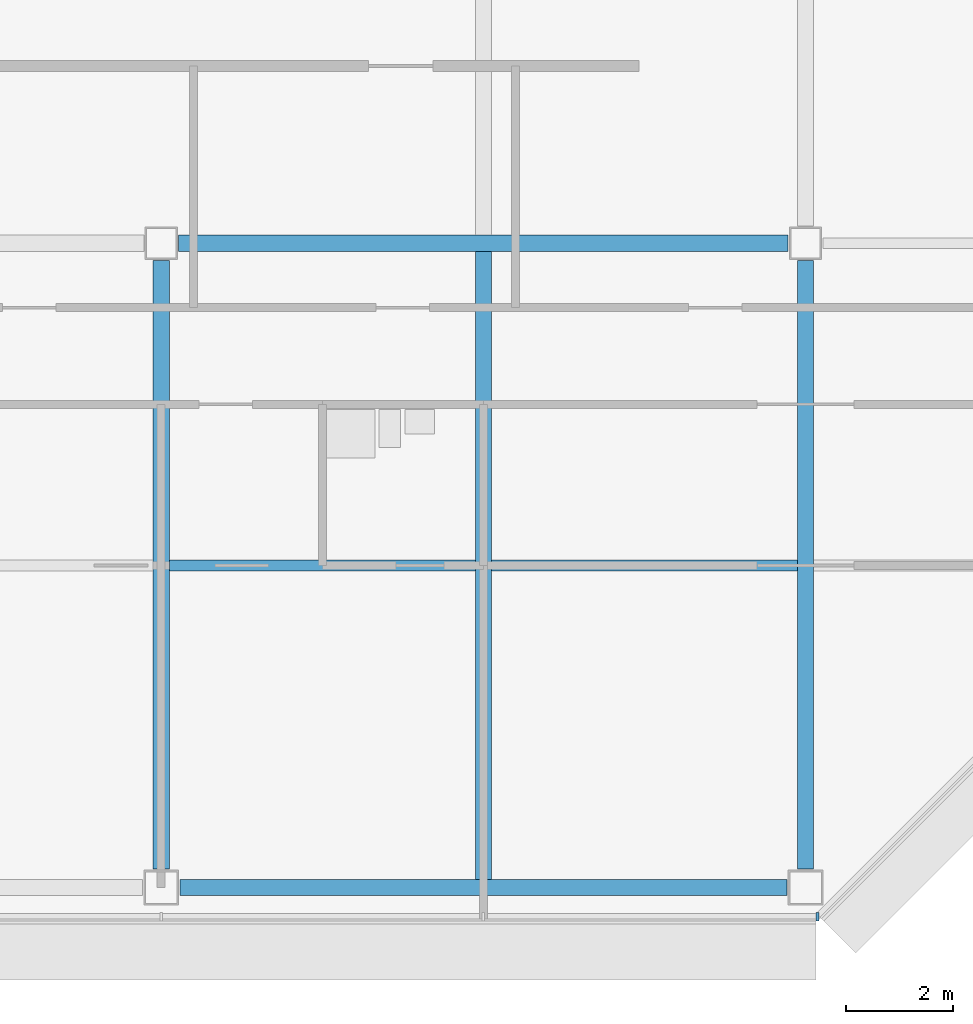
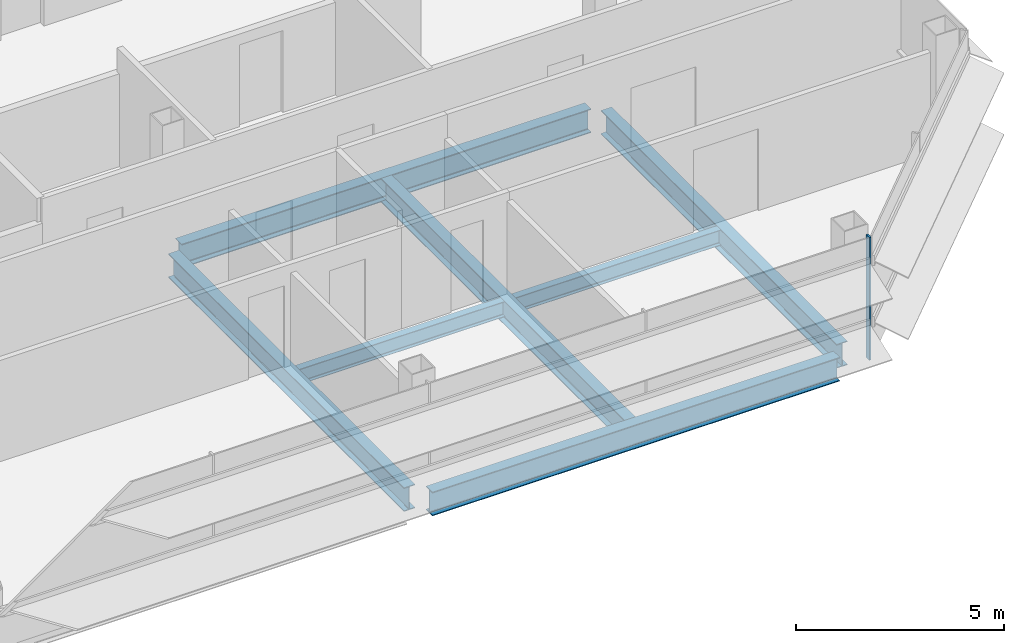
# One storey, part 9 of 29: 7 beams, 1 member, 1 element without a shape of its own.
"""IFC4 building model written with IfcOpenShell, lengths in metres."""

from ifc_helpers import new_model, si_unit, direction, frame, origin, origin_2d, place, context, subcontext, project, spatial, rectangle, i_section, extrude, material, material_profile, profile_set, type_object, element, aggregate, save


model = new_model("IFC4")

# Units and contexts
model_context = context("Model", 3, precision=1e-05, world=origin(), true_north=direction((0.0, 1.0)))
body_context = subcontext(model_context, "Body", "Model", "MODEL_VIEW")
ifc_project = project(units=[si_unit("LENGTHUNIT", "METRE"), si_unit("AREAUNIT", "SQUARE_METRE"), si_unit("VOLUMEUNIT", "CUBIC_METRE"), si_unit("PLANEANGLEUNIT", "RADIAN"), si_unit("MASSUNIT", "GRAM", prefix="KILO")], contexts=[model_context])

# Site, building, storey
site_placement = place(None, origin())
site = spatial("IfcSite", under=ifc_project, at=site_placement, CompositionType="ELEMENT")
building_placement = place(site_placement, origin())
building = spatial("IfcBuilding", under=site, at=building_placement, Name="Sorahane Residences", CompositionType="ELEMENT")
storey_placement = place(building_placement, frame((0.0, 0.0, 199.199951171875)))
storey = spatial("IfcBuildingStorey", under=building, at=storey_placement, Name="L46", CompositionType="ELEMENT", Elevation=199.199951171875)

# Curtain wall, member
ifc_material_1 = material(Name="Dark low-e glass and black anodised aluminium", Category="aluminium")
curtain_wall_type = type_object("IfcCurtainWallType", Name="Curtain wall CW-1 Typical unitised wall", PredefinedType="NOTDEFINED", material=ifc_material_1)
curtain_wall_placement = place(storey_placement, origin())
curtain_wall = element("IfcCurtainWall", 1, at=curtain_wall_placement, inside=storey, type_object=curtain_wall_type, Name="CW-1 curtain wall L46 S1", PredefinedType="NOTDEFINED")
ifc_material_2 = material(Name="Black anodised aluminium", Category="aluminium")
ifc_material_profile_1 = material_profile(ifc_material_2, rectangle(XDim=0.159912109375, YDim=0.050048828125, at=origin_2d()), Name="Curtain wall mullion CW-1 black anodised aluminium 50x160")
ifc_profile_set_1 = profile_set([ifc_material_profile_1], Name="Black anodised aluminium")
member_type = type_object("IfcMemberType", Name="Curtain wall mullion CW-1 black anodised aluminium 50x160", PredefinedType="MULLION", material=ifc_profile_set_1)
member_placement = place(storey_placement, frame((48.2236328125, -0.5400390625, -0.179931640625), z_axis=(0.0, 0.0, 1.0), x_axis=(0.0, -1.0, 0.0)))
member = element("IfcMember", 2, at=member_placement, type_object=member_type, Name="CW-1 mullion L46 S1.10", PredefinedType="MULLION", context=body_context, shape_type="SweptSolid", body=[
    extrude(rectangle(XDim=0.159912109375, YDim=0.050048828125, at=origin_2d()), origin(), (0.0, 0.0, 1.0), 3.60009765625),
])
aggregate(curtain_wall, [member])

# Beams
ifc_material_3 = material(Name="Steel Q355B", Category="steel")
ifc_material_profile_2 = material_profile(ifc_material_3, i_section(OverallWidth=0.199951171875, OverallDepth=0.449951171875, WebThickness=0.009033203125, FlangeThickness=0.013916015625, FilletRadius=0.02001953125, at=origin_2d()), Name="HN 450x200x9x14")
ifc_profile_set_2 = profile_set([ifc_material_profile_2], Name="Steel Q355B")
beam_type_1 = type_object("IfcBeamType", Name="Steel floor beam HN 450x200x9x14 Q355B", PredefinedType="BEAM", material=ifc_profile_set_2)
for number, where, z_axis, x_axis, name in (
    (3, (36.14990234375, 6.0, -0.405029296875), (1.0, 0.0, 0.0), (0.0, 1.0, 0.0), "Beam L46 072"),
    (4, (42.14990234375, 6.0, -0.405029296875), (1.0, 0.0, 0.0), (0.0, 1.0, 0.0), "Beam L46 073"),
):
    element("IfcBeam", number, at=place(storey_placement, frame(where, z_axis=z_axis, x_axis=x_axis)), inside=storey, type_object=beam_type_1, Name=name, PredefinedType="BEAM", context=body_context, shape_type="SweptSolid", body=[
        extrude(i_section(OverallWidth=0.199951171875, OverallDepth=0.449951171875, WebThickness=0.009033203125, FlangeThickness=0.013916015625, FilletRadius=0.02001953125, at=origin_2d()), origin(), (0.0, 0.0, 1.0), 5.7001953125),
    ])
ifc_material_4 = material(Name="Steel Q355B", Category="steel")
ifc_material_profile_3 = material_profile(ifc_material_4, i_section(OverallWidth=0.300048828125, OverallDepth=0.699951171875, WebThickness=0.012939453125, FlangeThickness=0.02392578125, FilletRadius=0.028076171875, at=origin_2d()), Name="HN 700x300x13x24")
ifc_profile_set_3 = profile_set([ifc_material_profile_3], Name="Steel Q355B")
beam_type_2 = type_object("IfcBeamType", Name="Steel floor beam HN 700x300x13x24 Q355B", PredefinedType="BEAM", material=ifc_profile_set_3)
beam_1_placement = place(storey_placement, frame((36.35009765625, 0.0, -0.530029296875), z_axis=(1.0, 0.0, 0.0), x_axis=(0.0, 1.0, 0.0)))
element("IfcBeam", 5, at=beam_1_placement, inside=storey, type_object=beam_type_2, Name="Beam L46 004", PredefinedType="BEAM", context=body_context, shape_type="SweptSolid", body=[
    extrude(i_section(OverallWidth=0.300048828125, OverallDepth=0.699951171875, WebThickness=0.012939453125, FlangeThickness=0.02392578125, FilletRadius=0.028076171875, at=origin_2d()), origin(), (0.0, 0.0, 1.0), 11.2998046875),
])
beam_2_placement = place(storey_placement, frame((36.324951171875, 12.0, -0.530029296875), z_axis=(1.0, 0.0, 0.0), x_axis=(0.0, 1.0, 0.0)))
element("IfcBeam", 6, at=beam_2_placement, inside=storey, type_object=beam_type_2, Name="Beam L46 009", PredefinedType="BEAM", context=body_context, shape_type="SweptSolid", body=[
    extrude(i_section(OverallWidth=0.300048828125, OverallDepth=0.699951171875, WebThickness=0.012939453125, FlangeThickness=0.02392578125, FilletRadius=0.028076171875, at=origin_2d()), origin(), (0.0, 0.0, 1.0), 11.35009765625),
])
beam_3_placement = place(storey_placement, frame((36.0, 0.35009765625, -0.530029296875), z_axis=(0.0, 1.0, 0.0), x_axis=(-1.0, 0.0, 0.0)))
element("IfcBeam", 7, at=beam_3_placement, inside=storey, type_object=beam_type_2, Name="Beam L46 049", PredefinedType="BEAM", context=body_context, shape_type="SweptSolid", body=[
    extrude(i_section(OverallWidth=0.300048828125, OverallDepth=0.699951171875, WebThickness=0.012939453125, FlangeThickness=0.02392578125, FilletRadius=0.028076171875, at=origin_2d()), origin(), (0.0, 0.0, 1.0), 11.324951171875),
])
beam_4_placement = place(storey_placement, frame((42.0, 0.14990234375, -0.530029296875), z_axis=(0.0, 1.0, 0.0), x_axis=(-1.0, 0.0, 0.0)))
element("IfcBeam", 8, at=beam_4_placement, inside=storey, type_object=beam_type_2, Name="Beam L46 051", PredefinedType="BEAM", context=body_context, shape_type="SweptSolid", body=[
    extrude(i_section(OverallWidth=0.300048828125, OverallDepth=0.699951171875, WebThickness=0.012939453125, FlangeThickness=0.02392578125, FilletRadius=0.028076171875, at=origin_2d()), origin(), (0.0, 0.0, 1.0), 11.7001953125),
])
beam_5_placement = place(storey_placement, frame((48.0, 0.35009765625, -0.530029296875), z_axis=(0.0, 1.0, 0.0), x_axis=(-1.0, 0.0, 0.0)))
element("IfcBeam", 9, at=beam_5_placement, inside=storey, type_object=beam_type_2, Name="Beam L46 056", PredefinedType="BEAM", context=body_context, shape_type="SweptSolid", body=[
    extrude(i_section(OverallWidth=0.300048828125, OverallDepth=0.699951171875, WebThickness=0.012939453125, FlangeThickness=0.02392578125, FilletRadius=0.028076171875, at=origin_2d()), origin(), (0.0, 0.0, 1.0), 11.324951171875),
])

save(model, "model.ifc")
